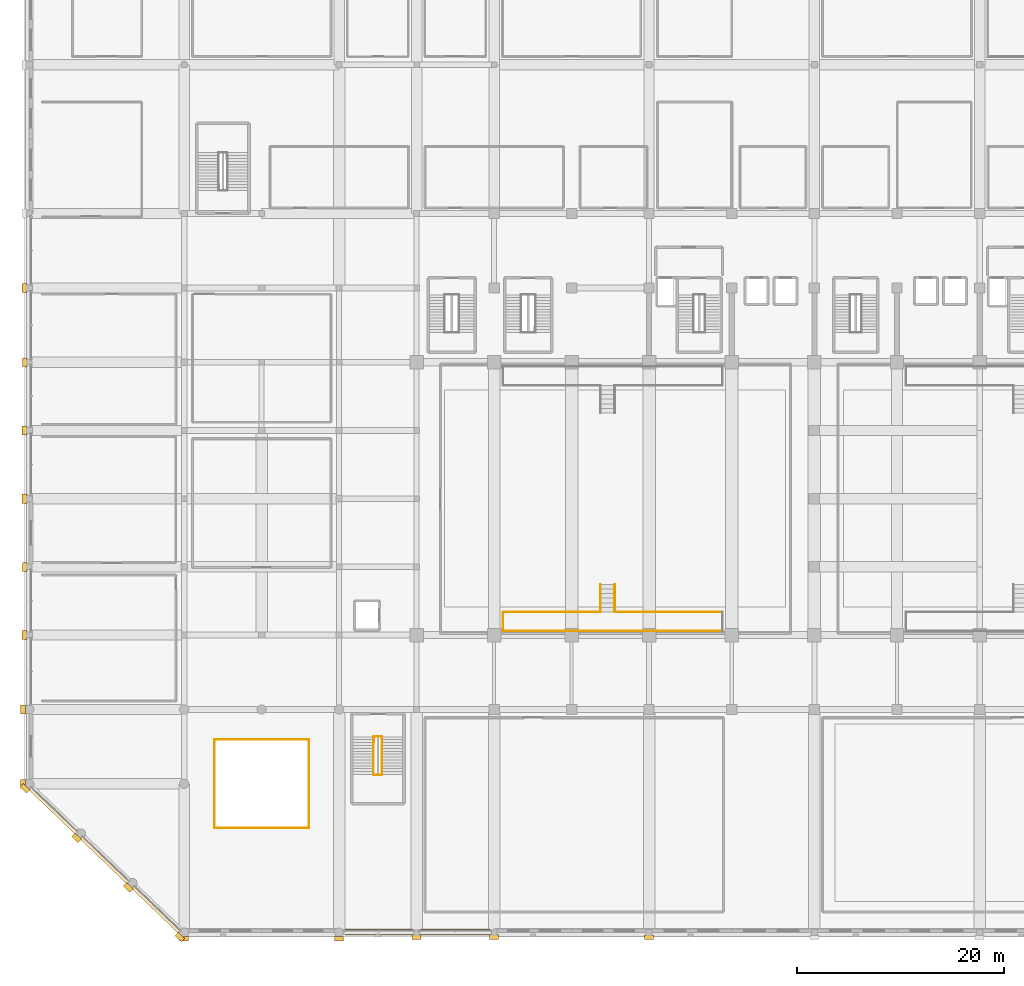
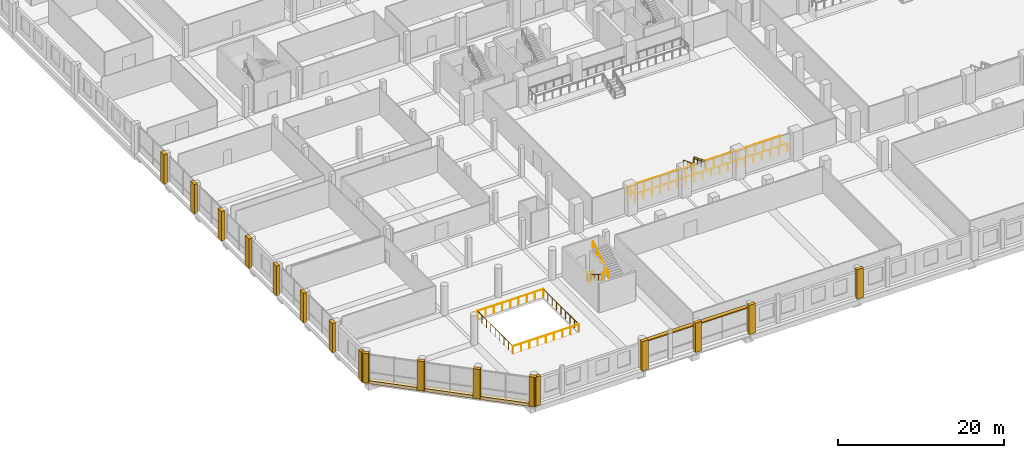
# One storey, part 58 of 68: 18 coverings, 15 railings, 2 shading devices.
"""IFC4 building model written with IfcOpenShell, lengths in metres."""

import ifcopenshell
import ifcopenshell.guid

model = None  # the IFC model being written
_history = None  # IfcOwnerHistory: only IFC2X3 demands one
_inside = {}  # id of a spatial element -> (the spatial element, [elements in it])
_under = {}  # id of a project, library or spatial element -> (it, [spatial elements below it])
_declared = {}  # id of a project -> (the project, [libraries it declares])
_typed = {}  # id of a type object -> (the type object, [elements of that type])
_made_of = {}  # id of a material, layer set ... -> (it, [elements and type objects made of it])


def new_model(schema):
    """Start an empty IFC model of exactly this schema.

    Asked for "IFC4X3", IfcOpenShell would pick the latest addendum, in which some entities
    have other attributes; the version numbers below select the first issue.
    IFC2X3 requires an IfcOwnerHistory on every rooted entity: one is made here for all.
    """
    global model, _history
    if schema == "IFC4X3":
        model = ifcopenshell.file(schema_version=(4, 3, 0, 0))
    else:
        model = ifcopenshell.file(schema=schema)
    _inside.clear()
    _under.clear()
    _declared.clear()
    _typed.clear()
    _made_of.clear()
    _history = None
    if model.schema == "IFC2X3":
        org = make("IfcOrganization", Name="unknown")
        user = make(
            "IfcPersonAndOrganization",
            ThePerson=make("IfcPerson", FamilyName="unknown"),
            TheOrganization=org,
        )
        app = make(
            "IfcApplication",
            ApplicationDeveloper=org,
            Version="unknown",
            ApplicationFullName="unknown",
            ApplicationIdentifier="unknown",
        )
        _history = make(
            "IfcOwnerHistory",
            OwningUser=user,
            OwningApplication=app,
            ChangeAction="ADDED",
            CreationDate=0,
        )
    return model


def make(cls, **values):
    """One entity of the class cls with the attributes given. An attribute that is None is left unset."""
    return model.create_entity(
        cls, **{name: value for name, value in values.items() if value is not None}
    )


def rooted(cls, **values):
    """An entity with a GlobalId (a new one), such as an element, a storey or a relation."""
    return make(cls, GlobalId=ifcopenshell.guid.new(), OwnerHistory=_history, **values)


def si_unit(unit_type, name, prefix=None):
    """IfcSIUnit, for example si_unit("LENGTHUNIT", "METRE", prefix="MILLI")."""
    return make("IfcSIUnit", UnitType=unit_type, Prefix=prefix, Name=name)


def assignment(units):
    """IfcUnitAssignment: the units of a project."""
    return None if units is None else make("IfcUnitAssignment", Units=units)


def point(xyz):
    """IfcCartesianPoint."""
    return None if xyz is None else make("IfcCartesianPoint", Coordinates=xyz)


def direction(xyz):
    """IfcDirection."""
    return None if xyz is None else make("IfcDirection", DirectionRatios=xyz)


def frame(location, z_axis=None, x_axis=None):
    """IfcAxis2Placement3D, a coordinate frame: its origin and axes. An axis left out is left unset."""
    return make(
        "IfcAxis2Placement3D",
        Location=point(location),
        Axis=direction(z_axis),
        RefDirection=direction(x_axis),
    )


def frame_2d(location, x_axis=None):
    """IfcAxis2Placement2D, a coordinate frame in the plane: its origin and x axis."""
    return make(
        "IfcAxis2Placement2D", Location=point(location), RefDirection=direction(x_axis)
    )


def origin():
    """The frame at (0, 0, 0) with its axes left unset."""
    return frame((0.0, 0.0, 0.0))


def origin_2d():
    """The frame at (0, 0) in the plane with its x axis left unset."""
    return frame_2d((0.0, 0.0))


def place(relative_to, where):
    """IfcLocalPlacement: puts the frame where relative to a parent placement (None: the world)."""
    return make(
        "IfcLocalPlacement", PlacementRelTo=relative_to, RelativePlacement=where
    )


def context(
    kind, dimensions, precision=None, world=None, true_north=None, identifier=None
):
    """IfcGeometricRepresentationContext, for example the 3D "Model" context."""
    return make(
        "IfcGeometricRepresentationContext",
        ContextIdentifier=identifier,
        ContextType=kind,
        CoordinateSpaceDimension=dimensions,
        Precision=precision,
        WorldCoordinateSystem=world,
        TrueNorth=true_north,
    )


def subcontext(parent, identifier, kind, view, scale=None):
    """IfcGeometricRepresentationSubContext, for example "Body" below "Model"."""
    return make(
        "IfcGeometricRepresentationSubContext",
        ContextIdentifier=identifier,
        ContextType=kind,
        ParentContext=parent,
        TargetScale=scale,
        TargetView=view,
    )


def project(units=None, contexts=None):
    """IfcProject with its units and contexts."""
    return rooted(
        "IfcProject",
        Name="project",
        RepresentationContexts=contexts,
        UnitsInContext=assignment(units),
    )


def spatial(cls, under=None, at=None, **own):
    """A site, building, storey or space (cls), placed at a placement, below another one or the project."""
    s = rooted(cls, ObjectPlacement=at, **own)
    if under is not None:
        _under.setdefault(under.id(), (under, []))[1].append(s)
    return s


def profile(cls, at=None, kind="AREA", **sizes):
    """A parametric profile (cls). Its sizes go by their IFC names, for example OverallWidth=200.0."""
    return make(cls, ProfileType=kind, Position=at, **sizes)


def rectangle(**sizes):
    """IfcRectangleProfileDef."""
    return profile("IfcRectangleProfileDef", **sizes)


def circle(**sizes):
    """IfcCircleProfileDef."""
    return profile("IfcCircleProfileDef", **sizes)


def extrude(swept, where, along, depth):
    """IfcExtrudedAreaSolid: the profile swept, set in the frame where, extruded along a direction by depth."""
    return make(
        "IfcExtrudedAreaSolid",
        SweptArea=swept,
        Position=where,
        ExtrudedDirection=direction(along),
        Depth=depth,
    )


def shape(context_of_items, identifier, shape_type, items):
    """IfcShapeRepresentation: the items that make up one representation, for example the "Body"."""
    return make(
        "IfcShapeRepresentation",
        ContextOfItems=context_of_items,
        RepresentationIdentifier=identifier,
        RepresentationType=shape_type,
        Items=items,
    )


def material(Name=None, Category=None):
    """IfcMaterial."""
    return make("IfcMaterial", Name=Name, Category=Category)


def layer(
    of_material, thickness, ventilated=None, Name=None, Category=None, Priority=None
):
    """IfcMaterialLayer: one layer of a wall or slab, of a material (None: an air gap)."""
    return make(
        "IfcMaterialLayer",
        Material=of_material,
        LayerThickness=thickness,
        IsVentilated=ventilated,
        Name=Name,
        Category=Category,
        Priority=Priority,
    )


def layer_set(layers, Name=None):
    """IfcMaterialLayerSet."""
    return make("IfcMaterialLayerSet", MaterialLayers=layers, LayerSetName=Name)


def made_of(thing, what):
    """Note that an element or type object is made of a material, layer set ...; save() writes the relation."""
    if what is not None:
        _made_of.setdefault(what.id(), (what, []))[1].append(thing)
    return thing


def type_object(cls, material=None, **own):
    """A type object (cls), such as IfcWallType, which elements share."""
    return made_of(rooted(cls, **own), material)


def element(
    cls,
    number,
    at=None,
    inside=None,
    cuts=None,
    type_object=None,
    material=None,
    context=None,
    identifier="Body",
    shape_type=None,
    held_by="IfcProductDefinitionShape",
    body=None,
    shapes=None,
    **own,
):
    """One element of the class cls, such as IfcWall. Its Tag is "e" and its number.

    at: its placement. inside: the storey or other place that contains it. cuts: it is an
    opening in that element (IfcRelVoidsElement). A single representation is given by context,
    identifier, shape_type and body (its items); several are given by shapes. held_by: the class
    of the entity that holds the representations. save() writes the other relations.
    """
    e = rooted(cls, Tag="e%d" % number, ObjectPlacement=at, **own)
    if body is not None:
        shapes = [shape(context, identifier, shape_type, body)]
    if shapes is not None:
        e.Representation = make(held_by, Representations=shapes)
    if inside is not None:
        _inside.setdefault(inside.id(), (inside, []))[1].append(e)
    if cuts is not None:
        rooted(
            "IfcRelVoidsElement", RelatingBuildingElement=cuts, RelatedOpeningElement=e
        )
    if type_object is not None:
        _typed.setdefault(type_object.id(), (type_object, []))[1].append(e)
    return made_of(e, material)


def aggregate(whole, parts):
    """IfcRelAggregates: a whole, such as a stair, and the parts it consists of."""
    return rooted("IfcRelAggregates", RelatingObject=whole, RelatedObjects=parts)


def save(model, path):
    """Write the relations noted so far, then the file.

    IfcRelAggregates (storeys below a building ...), IfcRelContainedInSpatialStructure (elements
    in a storey), IfcRelDefinesByType, IfcRelAssociatesMaterial and IfcRelDeclares: one each for
    every whole, place, type object, material and project.
    """
    for whole, parts in _under.values():
        aggregate(whole, parts)
    for where, things in _inside.values():
        rooted(
            "IfcRelContainedInSpatialStructure",
            RelatedElements=things,
            RelatingStructure=where,
        )
    for kind, things in _typed.values():
        rooted("IfcRelDefinesByType", RelatedObjects=things, RelatingType=kind)
    for what, things in _made_of.values():
        rooted("IfcRelAssociatesMaterial", RelatedObjects=things, RelatingMaterial=what)
    for by, libraries in _declared.values():
        rooted("IfcRelDeclares", RelatingContext=by, RelatedDefinitions=libraries)
    model.write(path)


model = new_model("IFC4")

# Units and contexts
model_context = context("Model", 3, precision=1e-05, world=origin(), true_north=direction((0.0, 1.0)))
body_context = subcontext(model_context, "Body", "Model", "MODEL_VIEW")
ifc_project = project(units=[si_unit("LENGTHUNIT", "METRE"), si_unit("AREAUNIT", "SQUARE_METRE"), si_unit("VOLUMEUNIT", "CUBIC_METRE"), si_unit("PLANEANGLEUNIT", "RADIAN"), si_unit("MASSUNIT", "GRAM", prefix="KILO")], contexts=[model_context])

# Site, building, storey
site_placement = place(None, origin())
site = spatial("IfcSite", under=ifc_project, at=site_placement, CompositionType="ELEMENT")
building_placement = place(site_placement, origin())
building = spatial("IfcBuilding", under=site, at=building_placement, Name="Akrevak Sports Hall", CompositionType="ELEMENT")
storey_placement = place(building_placement, frame((0.0, 0.0, 9.39990234375)))
storey = spatial("IfcBuildingStorey", under=building, at=storey_placement, Name="L02", CompositionType="ELEMENT", Elevation=9.39990234375)

# Coverings
ifc_material_1 = material(Name="Limestone Ashlar", Category="stone")
ifc_layer_1 = layer(ifc_material_1, 0.6201171875, Name="Limestone Ashlar")
ifc_layer_set_1 = layer_set([ifc_layer_1], Name="Limestone Ashlar")
covering_type_1 = type_object("IfcCoveringType", Name="ARC-COV-CRN-LIM", PredefinedType="MOLDING", material=ifc_layer_set_1)
covering_placement = place(storey_placement, frame((7.403076171875, 7.09912109375, -0.349853515625), z_axis=(0.0, 0.0, 1.0), x_axis=(0.721385636978, -0.692533582407, 0.0)))
element("IfcCovering", 1, at=covering_placement, inside=storey, type_object=covering_type_1, Name="Tripartite Base Limestone Belt Course L02-BLT-05", PredefinedType="MOLDING", context=body_context, shape_type="SweptSolid", body=[
    extrude(rectangle(XDim=21.408935546875, YDim=0.60009765625, at=origin_2d()), origin(), (0.0, 0.0, 1.0), 0.4599609375),
])
ifc_layer_2 = layer(ifc_material_1, 0.47998046875, Name="Limestone Ashlar")
ifc_layer_set_2 = layer_set([ifc_layer_2], Name="Limestone Ashlar")
covering_type_2 = type_object("IfcCoveringType", Name="ARC-COV-PIL-LIM", PredefinedType="CLADDING", material=ifc_layer_set_2)
for number, where, z_axis, x_axis, name in (
    (2, (15.0, -0.60009765625, 0.0), (0.0, 0.0, 1.0), (1.0, 0.0, 0.0), "Giant-Order Limestone Pilaster L02-01-01"),
    (3, (30.0, -0.60009765625, 0.0), (0.0, 0.0, 1.0), (1.0, 0.0, 0.0), "Giant-Order Limestone Pilaster L02-01-02"),
    (4, (37.5, -0.425048828125, 0.0), (0.0, 0.0, 1.0), (1.0, 0.0, 0.0), "Giant-Order Limestone Pilaster L02-01-03"),
    (5, (45.0, -0.425048828125, 0.0), (0.0, 0.0, 1.0), (1.0, 0.0, 0.0), "Giant-Order Limestone Pilaster L02-01-04"),
    (6, (60.0, -0.449951171875, 0.0), (0.0, 0.0, 1.0), (1.0, 0.0, 0.0), "Giant-Order Limestone Pilaster L02-01-05"),
    (7, (-0.60009765625, 14.39990234375, 0.0), (0.0, 0.0, 1.0), (0.0, -1.0, 0.0), "Giant-Order Limestone Pilaster L02-04-39"),
    (8, (-0.60009765625, 21.60009765625, 0.0), (0.0, 0.0, 1.0), (0.0, -1.0, 0.0), "Giant-Order Limestone Pilaster L02-04-40"),
    (9, (-0.449951171875, 28.800048828125, 0.0), (0.0, 0.0, 1.0), (0.0, -1.0, 0.0), "Giant-Order Limestone Pilaster L02-04-41"),
    (10, (-0.425048828125, 35.39990234375, 0.0), (0.0, 0.0, 1.0), (0.0, -1.0, 0.0), "Giant-Order Limestone Pilaster L02-04-42"),
    (11, (-0.449951171875, 42.0, 0.0), (0.0, 0.0, 1.0), (0.0, -1.0, 0.0), "Giant-Order Limestone Pilaster L02-04-43"),
    (12, (-0.449951171875, 48.60009765625, 0.0), (0.0, 0.0, 1.0), (0.0, -1.0, 0.0), "Giant-Order Limestone Pilaster L02-04-44"),
    (13, (-0.425048828125, 55.199951171875, 0.0), (0.0, 0.0, 1.0), (0.0, -1.0, 0.0), "Giant-Order Limestone Pilaster L02-04-45"),
    (14, (-0.449951171875, 62.39990234375, 0.0), (0.0, 0.0, 1.0), (0.0, -1.0, 0.0), "Giant-Order Limestone Pilaster L02-04-46"),
    (15, (-0.41552734375, 13.96728515625, 0.0), (0.0, 0.0, 1.0), (0.721385636978, -0.692533582407, 0.0), "Giant-Order Limestone Pilaster L02-05-49"),
    (16, (4.58447265625, 9.167236328125, 0.0), (0.0, 0.0, 1.0), (0.721385636978, -0.692533582407, 0.0), "Giant-Order Limestone Pilaster L02-05-50"),
    (17, (9.58447265625, 4.3671875, 0.0), (0.0, 0.0, 1.0), (0.721385636978, -0.692533582407, 0.0), "Giant-Order Limestone Pilaster L02-05-51"),
    (18, (14.58447265625, -0.432861328125, 0.0), (0.0, 0.0, 1.0), (0.721385636978, -0.692533582407, 0.0), "Giant-Order Limestone Pilaster L02-05-51"),
):
    element("IfcCovering", number, at=place(storey_placement, frame(where, z_axis=z_axis, x_axis=x_axis)), inside=storey, type_object=covering_type_2, Name=name, PredefinedType="CLADDING", context=body_context, shape_type="SweptSolid", body=[
        extrude(rectangle(XDim=0.8798828125, YDim=0.4599609375, at=origin_2d()), origin(), (0.0, 0.0, 1.0), 4.320068359375),
    ])

# Railings
ifc_material_2 = material(Name="Painted Architectural Balustrade Steel", Category="steel")
ifc_layer_3 = layer(ifc_material_2, 0.06005859375, Name="Painted Architectural Balustrade Steel")
ifc_layer_set_3 = layer_set([ifc_layer_3], Name="Painted Architectural Balustrade Steel")
railing_type_1 = type_object("IfcRailingType", Name="ARC-RL-GRD-1120", PredefinedType="GUARDRAIL", material=ifc_layer_set_3)
railing_1_placement = place(storey_placement, frame((33.360107421875, 18.429931640625, 0.0)))
element("IfcRailing", 19, at=railing_1_placement, inside=storey, type_object=railing_type_1, Name="Stair Floor Landing Well Guard ST5 (L02)", PredefinedType="GUARDRAIL", context=body_context, shape_type="SweptSolid", body=[
    extrude(circle(Radius=0.02392578125, at=origin_2d()), frame((0.0, 0.0, 1.09619140625), z_axis=(0.0, 1.0, 0.0), x_axis=(-1.0, 0.0, 0.0)), (0.0, 0.0, 1.0), 0.550048828125),
    extrude(circle(Radius=0.02392578125, at=origin_2d()), frame((0.0, 0.550048828125, 1.09619140625), z_axis=(1.0, 0.0, 0.0), x_axis=(0.0, 1.0, 0.0)), (0.0, 0.0, 1.0), 0.809814453125),
    extrude(circle(Radius=0.02099609375, at=origin_2d()), origin(), (0.0, 0.0, 1.0), 1.072021484375),
    extrude(circle(Radius=0.02099609375, at=origin_2d()), frame((0.0, 0.550048828125, 0.0)), (0.0, 0.0, 1.0), 1.072021484375),
    extrude(circle(Radius=0.02099609375, at=origin_2d()), frame((0.809814453125, 0.550048828125, 0.0)), (0.0, 0.0, 1.0), 1.072021484375),
])
railing_2_placement = place(storey_placement, frame((33.330078125, 15.280029296875, 2.300048828125)))
element("IfcRailing", 20, at=railing_2_placement, inside=storey, type_object=railing_type_1, Name="Stair Landing Well Guard ST5-L02-1", PredefinedType="GUARDRAIL", context=body_context, shape_type="SweptSolid", body=[
    extrude(circle(Radius=0.02392578125, at=origin_2d()), frame((0.0, 0.0, 1.09619140625), z_axis=(1.0, 0.0, 0.0), x_axis=(0.0, 1.0, 0.0)), (0.0, 0.0, 1.0), 0.809814453125),
    extrude(circle(Radius=0.02392578125, at=origin_2d()), frame((0.809814453125, 0.0, 1.09619140625), z_axis=(0.0, 1.0, 0.0), x_axis=(-1.0, 0.0, 0.0)), (0.0, 0.0, 1.0), 0.52001953125),
    extrude(circle(Radius=0.02099609375, at=origin_2d()), origin(), (0.0, 0.0, 1.0), 1.072021484375),
    extrude(circle(Radius=0.02099609375, at=origin_2d()), frame((0.809814453125, 0.0, 0.0)), (0.0, 0.0, 1.0), 1.072021484375),
    extrude(circle(Radius=0.02099609375, at=origin_2d()), frame((0.809814453125, 0.52001953125, 0.0)), (0.0, 0.0, 1.0), 1.072021484375),
])
for number, where, name in (
    (21, (55.280029296875, 33.719970703125, 0.0), "Basketball South Stand Gangway 5 Side Guardrail L"),
    (22, (56.719970703125, 33.719970703125, 0.0), "Basketball South Stand Gangway 5 Side Guardrail R"),
):
    element("IfcRailing", number, at=place(storey_placement, frame(where)), inside=storey, type_object=railing_type_1, Name=name, PredefinedType="GUARDRAIL", context=body_context, shape_type="SweptSolid", body=[
        extrude(circle(Radius=0.02392578125, at=origin_2d()), frame((0.0, 0.0, 1.09619140625), z_axis=(0.0, -0.931996763482, 0.362466595509), x_axis=(1.0, 0.0, 0.0)), (0.0, 0.0, 1.0), 2.89697265625),
        extrude(circle(Radius=0.02099609375, at=origin_2d()), origin(), (0.0, 0.0, 1.0), 1.072021484375),
        extrude(circle(Radius=0.02099609375, at=origin_2d()), frame((0.0, -0.89990234375, 0.35009765625)), (0.0, 0.0, 1.0), 1.072021484375),
        extrude(circle(Radius=0.02099609375, at=origin_2d()), frame((0.0, -1.800048828125, 0.699951171875)), (0.0, 0.0, 1.0), 1.072021484375),
        extrude(circle(Radius=0.02099609375, at=origin_2d()), frame((0.0, -2.699951171875, 1.050048828125)), (0.0, 0.0, 1.0), 1.072021484375),
    ])
railing_3_placement = place(storey_placement, frame((45.8798828125, 29.179931640625, 1.050048828125)))
element("IfcRailing", 23, at=railing_3_placement, inside=storey, type_object=railing_type_1, Name="Spectator Stand Crowd Barrier BB-S1-BACK", PredefinedType="GUARDRAIL", context=body_context, shape_type="SweptSolid", body=[
    extrude(circle(Radius=0.02392578125, at=origin_2d()), frame((0.0, 0.0, 1.09619140625), z_axis=(1.0, 0.0, 0.0), x_axis=(0.0, 1.0, 0.0)), (0.0, 0.0, 1.0), 21.240234375),
    extrude(circle(Radius=0.02099609375, at=origin_2d()), origin(), (0.0, 0.0, 1.0), 1.072021484375),
    extrude(circle(Radius=0.02099609375, at=origin_2d()), frame((1.179931640625, 0.0, 0.0)), (0.0, 0.0, 1.0), 1.072021484375),
    extrude(circle(Radius=0.02099609375, at=origin_2d()), frame((2.360107421875, 0.0, 0.0)), (0.0, 0.0, 1.0), 1.072021484375),
    extrude(circle(Radius=0.02099609375, at=origin_2d()), frame((3.5400390625, 0.0, 0.0)), (0.0, 0.0, 1.0), 1.072021484375),
    extrude(circle(Radius=0.02099609375, at=origin_2d()), frame((4.719970703125, 0.0, 0.0)), (0.0, 0.0, 1.0), 1.072021484375),
    extrude(circle(Radius=0.02099609375, at=origin_2d()), frame((5.900146484375, 0.0, 0.0)), (0.0, 0.0, 1.0), 1.072021484375),
    extrude(circle(Radius=0.02099609375, at=origin_2d()), frame((7.080078125, 0.0, 0.0)), (0.0, 0.0, 1.0), 1.072021484375),
    extrude(circle(Radius=0.02099609375, at=origin_2d()), frame((8.260009765625, 0.0, 0.0)), (0.0, 0.0, 1.0), 1.072021484375),
    extrude(circle(Radius=0.02099609375, at=origin_2d()), frame((9.440185546875, 0.0, 0.0)), (0.0, 0.0, 1.0), 1.072021484375),
    extrude(circle(Radius=0.02099609375, at=origin_2d()), frame((10.6201171875, 0.0, 0.0)), (0.0, 0.0, 1.0), 1.072021484375),
    extrude(circle(Radius=0.02099609375, at=origin_2d()), frame((11.800048828125, 0.0, 0.0)), (0.0, 0.0, 1.0), 1.072021484375),
    extrude(circle(Radius=0.02099609375, at=origin_2d()), frame((12.980224609375, 0.0, 0.0)), (0.0, 0.0, 1.0), 1.072021484375),
    extrude(circle(Radius=0.02099609375, at=origin_2d()), frame((14.16015625, 0.0, 0.0)), (0.0, 0.0, 1.0), 1.072021484375),
    extrude(circle(Radius=0.02099609375, at=origin_2d()), frame((15.340087890625, 0.0, 0.0)), (0.0, 0.0, 1.0), 1.072021484375),
    extrude(circle(Radius=0.02099609375, at=origin_2d()), frame((16.520263671875, 0.0, 0.0)), (0.0, 0.0, 1.0), 1.072021484375),
    extrude(circle(Radius=0.02099609375, at=origin_2d()), frame((17.7001953125, 0.0, 0.0)), (0.0, 0.0, 1.0), 1.072021484375),
    extrude(circle(Radius=0.02099609375, at=origin_2d()), frame((18.880126953125, 0.0, 0.0)), (0.0, 0.0, 1.0), 1.072021484375),
    extrude(circle(Radius=0.02099609375, at=origin_2d()), frame((20.060302734375, 0.0, 0.0)), (0.0, 0.0, 1.0), 1.072021484375),
    extrude(circle(Radius=0.02099609375, at=origin_2d()), frame((21.240234375, 0.0, 0.0)), (0.0, 0.0, 1.0), 1.072021484375),
])
railing_4_placement = place(storey_placement, frame((45.8798828125, 29.179931640625, 1.050048828125)))
element("IfcRailing", 24, at=railing_4_placement, inside=storey, type_object=railing_type_1, Name="Spectator Stand Crowd Barrier BB-S1-W", PredefinedType="GUARDRAIL", context=body_context, shape_type="SweptSolid", body=[
    extrude(circle(Radius=0.02392578125, at=origin_2d()), frame((0.0, 0.0, 1.09619140625), z_axis=(0.0, 1.0, 0.0), x_axis=(-1.0, 0.0, 0.0)), (0.0, 0.0, 1.0), 1.840087890625),
    extrude(circle(Radius=0.02099609375, at=origin_2d()), origin(), (0.0, 0.0, 1.0), 1.072021484375),
    extrude(circle(Radius=0.02099609375, at=origin_2d()), frame((0.0, 0.919921875, 0.0)), (0.0, 0.0, 1.0), 1.072021484375),
    extrude(circle(Radius=0.02099609375, at=origin_2d()), frame((0.0, 1.840087890625, 0.0)), (0.0, 0.0, 1.0), 1.072021484375),
])
railing_5_placement = place(storey_placement, frame((45.8798828125, 31.02001953125, 1.050048828125)))
element("IfcRailing", 25, at=railing_5_placement, inside=storey, type_object=railing_type_1, Name="Spectator Stand Crowd Barrier BB-S1-FR-L", PredefinedType="GUARDRAIL", context=body_context, shape_type="SweptSolid", body=[
    extrude(circle(Radius=0.02392578125, at=origin_2d()), frame((0.0, 0.0, 1.09619140625), z_axis=(1.0, 0.0, 0.0), x_axis=(0.0, 1.0, 0.0)), (0.0, 0.0, 1.0), 9.2900390625),
    extrude(circle(Radius=0.02099609375, at=origin_2d()), origin(), (0.0, 0.0, 1.0), 1.072021484375),
    extrude(circle(Radius=0.02099609375, at=origin_2d()), frame((1.1611328125, 0.0, 0.0)), (0.0, 0.0, 1.0), 1.072021484375),
    extrude(circle(Radius=0.02099609375, at=origin_2d()), frame((2.322509765625, 0.0, 0.0)), (0.0, 0.0, 1.0), 1.072021484375),
    extrude(circle(Radius=0.02099609375, at=origin_2d()), frame((3.48388671875, 0.0, 0.0)), (0.0, 0.0, 1.0), 1.072021484375),
    extrude(circle(Radius=0.02099609375, at=origin_2d()), frame((4.64501953125, 0.0, 0.0)), (0.0, 0.0, 1.0), 1.072021484375),
    extrude(circle(Radius=0.02099609375, at=origin_2d()), frame((5.80615234375, 0.0, 0.0)), (0.0, 0.0, 1.0), 1.072021484375),
    extrude(circle(Radius=0.02099609375, at=origin_2d()), frame((6.967529296875, 0.0, 0.0)), (0.0, 0.0, 1.0), 1.072021484375),
    extrude(circle(Radius=0.02099609375, at=origin_2d()), frame((8.12890625, 0.0, 0.0)), (0.0, 0.0, 1.0), 1.072021484375),
    extrude(circle(Radius=0.02099609375, at=origin_2d()), frame((9.2900390625, 0.0, 0.0)), (0.0, 0.0, 1.0), 1.072021484375),
])
railing_6_placement = place(storey_placement, frame((56.830078125, 31.02001953125, 1.050048828125)))
element("IfcRailing", 26, at=railing_6_placement, inside=storey, type_object=railing_type_1, Name="Spectator Stand Crowd Barrier BB-S1-FR-R", PredefinedType="GUARDRAIL", context=body_context, shape_type="SweptSolid", body=[
    extrude(circle(Radius=0.02392578125, at=origin_2d()), frame((0.0, 0.0, 1.09619140625), z_axis=(1.0, 0.0, 0.0), x_axis=(0.0, 1.0, 0.0)), (0.0, 0.0, 1.0), 10.2900390625),
    extrude(circle(Radius=0.02099609375, at=origin_2d()), origin(), (0.0, 0.0, 1.0), 1.072021484375),
    extrude(circle(Radius=0.02099609375, at=origin_2d()), frame((1.143310546875, 0.0, 0.0)), (0.0, 0.0, 1.0), 1.072021484375),
    extrude(circle(Radius=0.02099609375, at=origin_2d()), frame((2.28662109375, 0.0, 0.0)), (0.0, 0.0, 1.0), 1.072021484375),
    extrude(circle(Radius=0.02099609375, at=origin_2d()), frame((3.429931640625, 0.0, 0.0)), (0.0, 0.0, 1.0), 1.072021484375),
    extrude(circle(Radius=0.02099609375, at=origin_2d()), frame((4.5732421875, 0.0, 0.0)), (0.0, 0.0, 1.0), 1.072021484375),
    extrude(circle(Radius=0.02099609375, at=origin_2d()), frame((5.716796875, 0.0, 0.0)), (0.0, 0.0, 1.0), 1.072021484375),
    extrude(circle(Radius=0.02099609375, at=origin_2d()), frame((6.860107421875, 0.0, 0.0)), (0.0, 0.0, 1.0), 1.072021484375),
    extrude(circle(Radius=0.02099609375, at=origin_2d()), frame((8.00341796875, 0.0, 0.0)), (0.0, 0.0, 1.0), 1.072021484375),
    extrude(circle(Radius=0.02099609375, at=origin_2d()), frame((9.146728515625, 0.0, 0.0)), (0.0, 0.0, 1.0), 1.072021484375),
    extrude(circle(Radius=0.02099609375, at=origin_2d()), frame((10.2900390625, 0.0, 0.0)), (0.0, 0.0, 1.0), 1.072021484375),
])
ifc_material_3 = material(Name="Anodized Bronze Aluminium & Laminated Glass", Category="aluminium")
ifc_layer_4 = layer(ifc_material_3, 0.080078125, Name="Anodized Bronze Aluminium & Laminated Glass")
ifc_layer_set_4 = layer_set([ifc_layer_4], Name="Anodized Bronze Aluminium & Laminated Glass")
railing_type_2 = type_object("IfcRailingType", Name="ARC-RL-GRD-1150", PredefinedType="GUARDRAIL", material=ifc_layer_set_4)
railing_7_placement = place(storey_placement, frame((17.919921875, 10.1201171875, 0.0)))
element("IfcRailing", 27, at=railing_7_placement, inside=storey, type_object=railing_type_2, Name="Atrium/Arena Gallery Guardrail L02-ROT-S", PredefinedType="GUARDRAIL", context=body_context, shape_type="SweptSolid", body=[
    extrude(circle(Radius=0.02392578125, at=origin_2d()), frame((0.0, 0.0, 1.1259765625), z_axis=(1.0, 0.0, 0.0), x_axis=(0.0, 1.0, 0.0)), (0.0, 0.0, 1.0), 9.16015625),
    extrude(circle(Radius=0.02099609375, at=origin_2d()), origin(), (0.0, 0.0, 1.0), 1.101806640625),
    extrude(circle(Radius=0.02099609375, at=origin_2d()), frame((1.14501953125, 0.0, 0.0)), (0.0, 0.0, 1.0), 1.101806640625),
    extrude(circle(Radius=0.02099609375, at=origin_2d()), frame((2.2900390625, 0.0, 0.0)), (0.0, 0.0, 1.0), 1.101806640625),
    extrude(circle(Radius=0.02099609375, at=origin_2d()), frame((3.43505859375, 0.0, 0.0)), (0.0, 0.0, 1.0), 1.101806640625),
    extrude(circle(Radius=0.02099609375, at=origin_2d()), frame((4.580078125, 0.0, 0.0)), (0.0, 0.0, 1.0), 1.101806640625),
    extrude(circle(Radius=0.02099609375, at=origin_2d()), frame((5.72509765625, 0.0, 0.0)), (0.0, 0.0, 1.0), 1.101806640625),
    extrude(circle(Radius=0.02099609375, at=origin_2d()), frame((6.8701171875, 0.0, 0.0)), (0.0, 0.0, 1.0), 1.101806640625),
    extrude(circle(Radius=0.02099609375, at=origin_2d()), frame((8.01513671875, 0.0, 0.0)), (0.0, 0.0, 1.0), 1.101806640625),
    extrude(circle(Radius=0.02099609375, at=origin_2d()), frame((9.16015625, 0.0, 0.0)), (0.0, 0.0, 1.0), 1.101806640625),
])
railing_8_placement = place(storey_placement, frame((27.080078125, 18.679931640625, 0.0)))
element("IfcRailing", 28, at=railing_8_placement, inside=storey, type_object=railing_type_2, Name="Atrium/Arena Gallery Guardrail L02-ROT-N", PredefinedType="GUARDRAIL", context=body_context, shape_type="SweptSolid", body=[
    extrude(circle(Radius=0.02392578125, at=origin_2d()), frame((0.0, 0.0, 1.1259765625), z_axis=(-1.0, 0.0, 0.0), x_axis=(0.0, -1.0, 0.0)), (0.0, 0.0, 1.0), 9.16015625),
    extrude(circle(Radius=0.02099609375, at=origin_2d()), origin(), (0.0, 0.0, 1.0), 1.101806640625),
    extrude(circle(Radius=0.02099609375, at=origin_2d()), frame((-1.14501953125, 0.0, 0.0)), (0.0, 0.0, 1.0), 1.101806640625),
    extrude(circle(Radius=0.02099609375, at=origin_2d()), frame((-2.2900390625, 0.0, 0.0)), (0.0, 0.0, 1.0), 1.101806640625),
    extrude(circle(Radius=0.02099609375, at=origin_2d()), frame((-3.43505859375, 0.0, 0.0)), (0.0, 0.0, 1.0), 1.101806640625),
    extrude(circle(Radius=0.02099609375, at=origin_2d()), frame((-4.580078125, 0.0, 0.0)), (0.0, 0.0, 1.0), 1.101806640625),
    extrude(circle(Radius=0.02099609375, at=origin_2d()), frame((-5.72509765625, 0.0, 0.0)), (0.0, 0.0, 1.0), 1.101806640625),
    extrude(circle(Radius=0.02099609375, at=origin_2d()), frame((-6.8701171875, 0.0, 0.0)), (0.0, 0.0, 1.0), 1.101806640625),
    extrude(circle(Radius=0.02099609375, at=origin_2d()), frame((-8.01513671875, 0.0, 0.0)), (0.0, 0.0, 1.0), 1.101806640625),
    extrude(circle(Radius=0.02099609375, at=origin_2d()), frame((-9.16015625, 0.0, 0.0)), (0.0, 0.0, 1.0), 1.101806640625),
])
railing_9_placement = place(storey_placement, frame((17.919921875, 18.679931640625, 0.0)))
element("IfcRailing", 29, at=railing_9_placement, inside=storey, type_object=railing_type_2, Name="Atrium/Arena Gallery Guardrail L02-ROT-W", PredefinedType="GUARDRAIL", context=body_context, shape_type="SweptSolid", body=[
    extrude(circle(Radius=0.02392578125, at=origin_2d()), frame((0.0, 0.0, 1.1259765625), z_axis=(0.0, -1.0, 0.0), x_axis=(1.0, 0.0, 0.0)), (0.0, 0.0, 1.0), 8.559814453125),
    extrude(circle(Radius=0.02099609375, at=origin_2d()), origin(), (0.0, 0.0, 1.0), 1.101806640625),
    extrude(circle(Radius=0.02099609375, at=origin_2d()), frame((0.0, -1.070068359375, 0.0)), (0.0, 0.0, 1.0), 1.101806640625),
    extrude(circle(Radius=0.02099609375, at=origin_2d()), frame((0.0, -2.139892578125, 0.0)), (0.0, 0.0, 1.0), 1.101806640625),
    extrude(circle(Radius=0.02099609375, at=origin_2d()), frame((0.0, -3.2099609375, 0.0)), (0.0, 0.0, 1.0), 1.101806640625),
    extrude(circle(Radius=0.02099609375, at=origin_2d()), frame((0.0, -4.27978515625, 0.0)), (0.0, 0.0, 1.0), 1.101806640625),
    extrude(circle(Radius=0.02099609375, at=origin_2d()), frame((0.0, -5.349853515625, 0.0)), (0.0, 0.0, 1.0), 1.101806640625),
    extrude(circle(Radius=0.02099609375, at=origin_2d()), frame((0.0, -6.419921875, 0.0)), (0.0, 0.0, 1.0), 1.101806640625),
    extrude(circle(Radius=0.02099609375, at=origin_2d()), frame((0.0, -7.48974609375, 0.0)), (0.0, 0.0, 1.0), 1.101806640625),
    extrude(circle(Radius=0.02099609375, at=origin_2d()), frame((0.0, -8.559814453125, 0.0)), (0.0, 0.0, 1.0), 1.101806640625),
])
railing_10_placement = place(storey_placement, frame((27.080078125, 10.1201171875, 0.0)))
element("IfcRailing", 30, at=railing_10_placement, inside=storey, type_object=railing_type_2, Name="Atrium/Arena Gallery Guardrail L02-ROT-E", PredefinedType="GUARDRAIL", context=body_context, shape_type="SweptSolid", body=[
    extrude(circle(Radius=0.02392578125, at=origin_2d()), frame((0.0, 0.0, 1.1259765625), z_axis=(0.0, 1.0, 0.0), x_axis=(-1.0, 0.0, 0.0)), (0.0, 0.0, 1.0), 8.559814453125),
    extrude(circle(Radius=0.02099609375, at=origin_2d()), origin(), (0.0, 0.0, 1.0), 1.101806640625),
    extrude(circle(Radius=0.02099609375, at=origin_2d()), frame((0.0, 1.070068359375, 0.0)), (0.0, 0.0, 1.0), 1.101806640625),
    extrude(circle(Radius=0.02099609375, at=origin_2d()), frame((0.0, 2.139892578125, 0.0)), (0.0, 0.0, 1.0), 1.101806640625),
    extrude(circle(Radius=0.02099609375, at=origin_2d()), frame((0.0, 3.2099609375, 0.0)), (0.0, 0.0, 1.0), 1.101806640625),
    extrude(circle(Radius=0.02099609375, at=origin_2d()), frame((0.0, 4.27978515625, 0.0)), (0.0, 0.0, 1.0), 1.101806640625),
    extrude(circle(Radius=0.02099609375, at=origin_2d()), frame((0.0, 5.349853515625, 0.0)), (0.0, 0.0, 1.0), 1.101806640625),
    extrude(circle(Radius=0.02099609375, at=origin_2d()), frame((0.0, 6.419921875, 0.0)), (0.0, 0.0, 1.0), 1.101806640625),
    extrude(circle(Radius=0.02099609375, at=origin_2d()), frame((0.0, 7.48974609375, 0.0)), (0.0, 0.0, 1.0), 1.101806640625),
    extrude(circle(Radius=0.02099609375, at=origin_2d()), frame((0.0, 8.559814453125, 0.0)), (0.0, 0.0, 1.0), 1.101806640625),
])
ifc_material_4 = material(Name="Brushed Stainless Steel 304", Category="steel")
ifc_layer_5 = layer(ifc_material_4, 0.050048828125, Name="Brushed Stainless Steel 304")
ifc_layer_set_5 = layer_set([ifc_layer_5], Name="Brushed Stainless Steel 304")
railing_type_3 = type_object("IfcRailingType", Name="ARC-RL-HND-900", PredefinedType="HANDRAIL", material=ifc_layer_set_5)
railing_11_placement = place(storey_placement, frame((33.330078125, 18.949951171875, 0.0)))
element("IfcRailing", 31, at=railing_11_placement, inside=storey, type_object=railing_type_3, Name="Stair Handrail ST5-L02-F1", PredefinedType="HANDRAIL", context=body_context, shape_type="SweptSolid", body=[
    extrude(circle(Radius=0.02392578125, at=origin_2d()), frame((0.0, 0.0, 0.8759765625), z_axis=(0.0, -0.845366270244, 0.534187110602), x_axis=(1.0, 0.0, 0.0)), (0.0, 0.0, 1.0), 4.3056640625),
    extrude(circle(Radius=0.02099609375, at=origin_2d()), origin(), (0.0, 0.0, 1.0), 0.851806640625),
    extrude(circle(Radius=0.02099609375, at=origin_2d()), frame((0.0, -0.909912109375, 0.574951171875)), (0.0, 0.0, 1.0), 0.851806640625),
    extrude(circle(Radius=0.02099609375, at=origin_2d()), frame((0.0, -1.81982421875, 1.14990234375)), (0.0, 0.0, 1.0), 0.851806640625),
    extrude(circle(Radius=0.02099609375, at=origin_2d()), frame((0.0, -2.72998046875, 1.72509765625)), (0.0, 0.0, 1.0), 0.851806640625),
    extrude(circle(Radius=0.02099609375, at=origin_2d()), frame((0.0, -3.639892578125, 2.300048828125)), (0.0, 0.0, 1.0), 0.851806640625),
])
railing_12_placement = place(storey_placement, frame((34.169921875, 15.31005859375, 2.300048828125)))
element("IfcRailing", 32, at=railing_12_placement, inside=storey, type_object=railing_type_3, Name="Stair Handrail ST5-L02-F2", PredefinedType="HANDRAIL", context=body_context, shape_type="SweptSolid", body=[
    extrude(circle(Radius=0.02392578125, at=origin_2d()), frame((0.0, 0.0, 0.8759765625), z_axis=(0.0, 0.845366270244, 0.534187110602), x_axis=(-1.0, 0.0, 0.0)), (0.0, 0.0, 1.0), 4.3056640625),
    extrude(circle(Radius=0.02099609375, at=origin_2d()), origin(), (0.0, 0.0, 1.0), 0.851806640625),
    extrude(circle(Radius=0.02099609375, at=origin_2d()), frame((0.0, 0.909912109375, 0.574951171875)), (0.0, 0.0, 1.0), 0.851806640625),
    extrude(circle(Radius=0.02099609375, at=origin_2d()), frame((0.0, 1.81982421875, 1.14990234375)), (0.0, 0.0, 1.0), 0.851806640625),
    extrude(circle(Radius=0.02099609375, at=origin_2d()), frame((0.0, 2.72998046875, 1.72509765625)), (0.0, 0.0, 1.0), 0.851806640625),
    extrude(circle(Radius=0.02099609375, at=origin_2d()), frame((0.0, 3.639892578125, 2.300048828125)), (0.0, 0.0, 1.0), 0.851806640625),
])
railing_13_placement = place(storey_placement, frame((56.669921875, 33.719970703125, 0.0)))
element("IfcRailing", 33, at=railing_13_placement, inside=storey, type_object=railing_type_3, Name="Basketball South Stand Gangway 5 Handrail", PredefinedType="HANDRAIL", context=body_context, shape_type="SweptSolid", body=[
    extrude(circle(Radius=0.02392578125, at=origin_2d()), frame((0.0, 0.0, 0.8759765625), z_axis=(0.0, -0.931996763482, 0.362466595509), x_axis=(1.0, 0.0, 0.0)), (0.0, 0.0, 1.0), 2.89697265625),
    extrude(circle(Radius=0.02099609375, at=origin_2d()), origin(), (0.0, 0.0, 1.0), 0.851806640625),
    extrude(circle(Radius=0.02099609375, at=origin_2d()), frame((0.0, -0.89990234375, 0.35009765625)), (0.0, 0.0, 1.0), 0.851806640625),
    extrude(circle(Radius=0.02099609375, at=origin_2d()), frame((0.0, -1.800048828125, 0.699951171875)), (0.0, 0.0, 1.0), 0.851806640625),
    extrude(circle(Radius=0.02099609375, at=origin_2d()), frame((0.0, -2.699951171875, 1.050048828125)), (0.0, 0.0, 1.0), 0.851806640625),
])

# Shading devices
ifc_material_5 = material(Name="Anodized Bronze Aluminium", Category="aluminium")
shading_device_type = type_object("IfcShadingDeviceType", Name="ARC-SHD-BRZ-300", PredefinedType="JALOUSIE", material=ifc_material_5)
shading_device_1_placement = place(storey_placement, frame((33.83740234375, 0.06005859375, 3.6103515625), z_axis=(0.0, 0.0, 1.0), x_axis=(1.0, 0.0, 0.0)))
element("IfcShadingDevice", 34, at=shading_device_1_placement, inside=storey, type_object=shading_device_type, Name="Bronze Sun-Shading Louvre SH-04", PredefinedType="JALOUSIE", context=body_context, shape_type="SweptSolid", body=[
    extrude(rectangle(XDim=6.50390625, YDim=0.56005859375, at=origin_2d()), origin(), (0.0, 0.0, 1.0), 0.179931640625),
])
shading_device_2_placement = place(storey_placement, frame((41.25, 0.06005859375, 3.6103515625), z_axis=(0.0, 0.0, 1.0), x_axis=(1.0, 0.0, 0.0)))
element("IfcShadingDevice", 35, at=shading_device_2_placement, inside=storey, type_object=shading_device_type, Name="Bronze Sun-Shading Louvre SH-05", PredefinedType="JALOUSIE", context=body_context, shape_type="SweptSolid", body=[
    extrude(rectangle(XDim=6.672119140625, YDim=0.56005859375, at=origin_2d()), origin(), (0.0, 0.0, 1.0), 0.179931640625),
])

save(model, "model.ifc")
